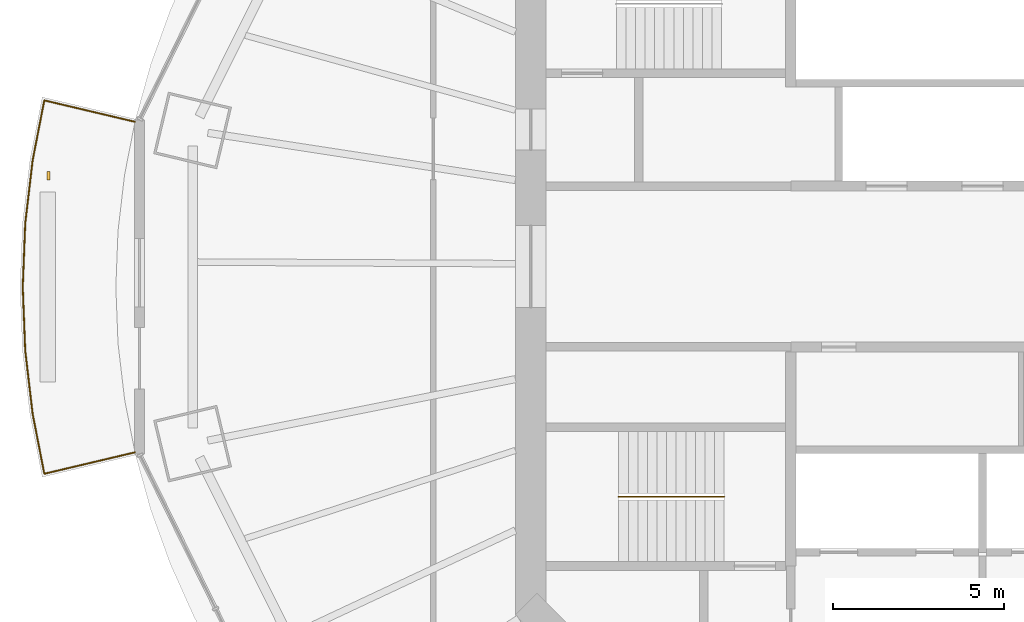
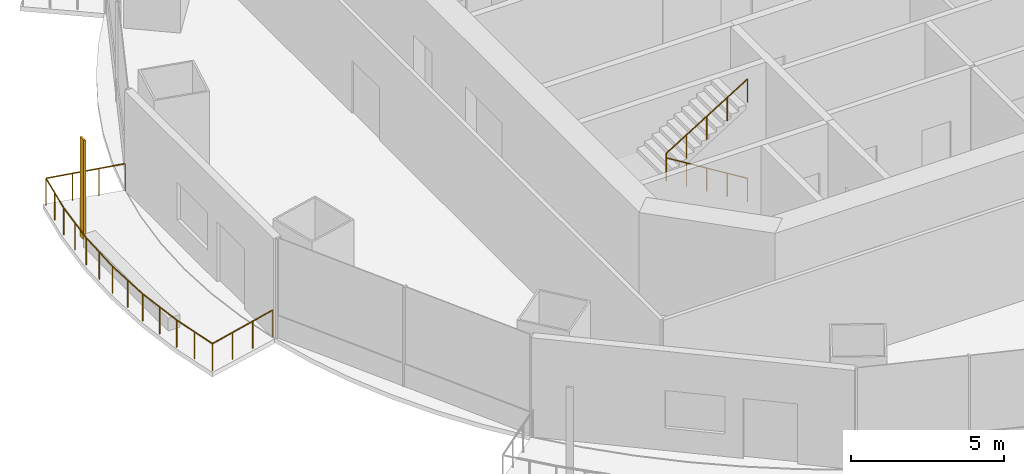
# One storey, part 15 of 19: 2 railings, 1 shading device.
"""IFC4 building model written with IfcOpenShell, lengths in metres."""

from ifc_helpers import new_model, si_unit, direction, frame, origin, origin_2d, place, context, subcontext, project, spatial, rectangle, circle, extrude, material, material_profile, profile_set, type_object, element, save


model = new_model("IFC4")

# Units and contexts
model_context = context("Model", 3, precision=1e-05, world=origin(), true_north=direction((0.0, 1.0)))
body_context = subcontext(model_context, "Body", "Model", "MODEL_VIEW")
ifc_project = project(units=[si_unit("LENGTHUNIT", "METRE"), si_unit("AREAUNIT", "SQUARE_METRE"), si_unit("VOLUMEUNIT", "CUBIC_METRE"), si_unit("PLANEANGLEUNIT", "RADIAN"), si_unit("MASSUNIT", "GRAM", prefix="KILO")], contexts=[model_context])

# Site, building, storey
site_placement = place(None, origin())
site = spatial("IfcSite", under=ifc_project, at=site_placement, CompositionType="ELEMENT")
building_placement = place(site_placement, origin())
building = spatial("IfcBuilding", under=site, at=building_placement, Name="Marenthal Gate Tower", CompositionType="ELEMENT")
storey_placement = place(building_placement, frame((0.0, 0.0, 252.35009765625)))
storey = spatial("IfcBuildingStorey", under=building, at=storey_placement, Name="L56", CompositionType="ELEMENT", Elevation=252.35009765625)

# Railings
ifc_material_1 = material(Name="Stainless steel", Category="steel")
railing_type_1 = type_object("IfcRailingType", Name="Balcony guard 1100", PredefinedType="GUARDRAIL", material=ifc_material_1)
railing_1_placement = place(storey_placement, frame((-27.56640625, -5.429443359375, 0.0)))
element("IfcRailing", 1, at=railing_1_placement, inside=storey, type_object=railing_type_1, Name="Balcony guard L56 bay 8", PredefinedType="GUARDRAIL", context=body_context, shape_type="SweptSolid", body=[
    extrude(circle(Radius=0.02392578125, at=origin_2d()), frame((0.0, 0.0, 1.076171875), z_axis=(-0.973072245699, -0.230029899071, -0.014719041532), x_axis=(0.23005482113, -0.97317767097, 0.0)), (0.0, 0.0, 1.0), 2.72021484375),
    extrude(circle(Radius=0.02392578125, at=origin_2d()), frame((-2.64697265625, -0.625732421875, 1.0361328125), z_axis=(-0.19100882276, 0.981588319831, 0.0), x_axis=(-0.981588319831, -0.19100882276, 0.0)), (0.0, 0.0, 1.0), 1.784423828125),
    extrude(circle(Radius=0.02392578125, at=origin_2d()), frame((-2.98779296875, 1.125732421875, 1.0361328125), z_axis=(-0.116437567729, 0.993198012896, 0.0), x_axis=(-0.993198012896, -0.116437567729, 0.0)), (0.0, 0.0, 1.0), 1.85986328125),
    extrude(circle(Radius=0.02392578125, at=origin_2d()), frame((-3.204345703125, 2.972900390625, 1.0361328125), z_axis=(-0.038897421074, 0.999243208951, 0.0), x_axis=(-0.999243208951, -0.038897421074, 0.0)), (0.0, 0.0, 1.0), 1.85791015625),
    extrude(circle(Radius=0.02392578125, at=origin_2d()), frame((-3.276611328125, 4.829345703125, 1.0361328125), z_axis=(0.038897421074, 0.999243208951, 0.0), x_axis=(-0.999243208951, 0.038897421074, 0.0)), (0.0, 0.0, 1.0), 1.85791015625),
    extrude(circle(Radius=0.02392578125, at=origin_2d()), frame((-3.204345703125, 6.685791015625, 1.0361328125), z_axis=(0.116422388761, 0.993199792285, 0.0), x_axis=(-0.993199792285, 0.116422388761, 0.0)), (0.0, 0.0, 1.0), 1.860107421875),
    extrude(circle(Radius=0.02392578125, at=origin_2d()), frame((-2.98779296875, 8.533203125, 1.0361328125), z_axis=(0.19100882276, 0.981588319831, 0.0), x_axis=(-0.981588319831, 0.19100882276, 0.0)), (0.0, 0.0, 1.0), 1.784423828125),
    extrude(circle(Radius=0.02392578125, at=origin_2d()), frame((-2.64697265625, 10.28466796875, 1.0361328125), z_axis=(0.973072245699, -0.230029899071, 0.014719041532), x_axis=(0.23005482113, 0.97317767097, 0.0)), (0.0, 0.0, 1.0), 2.72021484375),
    extrude(circle(Radius=0.02099609375, at=origin_2d()), origin(), (0.0, 0.0, 1.0), 1.052001953125),
    extrude(circle(Radius=0.02099609375, at=origin_2d()), frame((-0.88232421875, -0.20849609375, -0.013427734375)), (0.0, 0.0, 1.0), 1.052001953125),
    extrude(circle(Radius=0.02099609375, at=origin_2d()), frame((-1.7646484375, -0.417236328125, -0.026611328125)), (0.0, 0.0, 1.0), 1.052001953125),
    extrude(circle(Radius=0.02099609375, at=origin_2d()), frame((-2.64697265625, -0.625732421875, -0.0400390625)), (0.0, 0.0, 1.0), 1.052001953125),
    extrude(circle(Radius=0.02099609375, at=origin_2d()), frame((-2.8173828125, 0.25, -0.0400390625)), (0.0, 0.0, 1.0), 1.052001953125),
    extrude(circle(Radius=0.02099609375, at=origin_2d()), frame((-2.98779296875, 1.125732421875, -0.0400390625)), (0.0, 0.0, 1.0), 1.052001953125),
    extrude(circle(Radius=0.02099609375, at=origin_2d()), frame((-3.09619140625, 2.04931640625, -0.0400390625)), (0.0, 0.0, 1.0), 1.052001953125),
    extrude(circle(Radius=0.02099609375, at=origin_2d()), frame((-3.204345703125, 2.972900390625, -0.0400390625)), (0.0, 0.0, 1.0), 1.052001953125),
    extrude(circle(Radius=0.02099609375, at=origin_2d()), frame((-3.240478515625, 3.901123046875, -0.0400390625)), (0.0, 0.0, 1.0), 1.052001953125),
    extrude(circle(Radius=0.02099609375, at=origin_2d()), frame((-3.276611328125, 4.829345703125, -0.0400390625)), (0.0, 0.0, 1.0), 1.052001953125),
    extrude(circle(Radius=0.02099609375, at=origin_2d()), frame((-3.240478515625, 5.757568359375, -0.0400390625)), (0.0, 0.0, 1.0), 1.052001953125),
    extrude(circle(Radius=0.02099609375, at=origin_2d()), frame((-3.204345703125, 6.685791015625, -0.0400390625)), (0.0, 0.0, 1.0), 1.052001953125),
    extrude(circle(Radius=0.02099609375, at=origin_2d()), frame((-3.09619140625, 7.609375, -0.0400390625)), (0.0, 0.0, 1.0), 1.052001953125),
    extrude(circle(Radius=0.02099609375, at=origin_2d()), frame((-2.98779296875, 8.533203125, -0.0400390625)), (0.0, 0.0, 1.0), 1.052001953125),
    extrude(circle(Radius=0.02099609375, at=origin_2d()), frame((-2.8173828125, 9.408935546875, -0.0400390625)), (0.0, 0.0, 1.0), 1.052001953125),
    extrude(circle(Radius=0.02099609375, at=origin_2d()), frame((-2.64697265625, 10.28466796875, -0.0400390625)), (0.0, 0.0, 1.0), 1.052001953125),
    extrude(circle(Radius=0.02099609375, at=origin_2d()), frame((-1.7646484375, 10.076171875, -0.026611328125)), (0.0, 0.0, 1.0), 1.052001953125),
    extrude(circle(Radius=0.02099609375, at=origin_2d()), frame((-0.88232421875, 9.867431640625, -0.013427734375)), (0.0, 0.0, 1.0), 1.052001953125),
    extrude(circle(Radius=0.02099609375, at=origin_2d()), frame((0.0, 9.658935546875, 0.0)), (0.0, 0.0, 1.0), 1.052001953125),
])
ifc_material_2 = material(Name="Stainless steel", Category="steel")
railing_type_2 = type_object("IfcRailingType", Name="Stair handrail", PredefinedType="HANDRAIL", material=ifc_material_2)
railing_2_placement = place(storey_placement, frame((-10.35009765625, -6.72509765625, 0.1728515625)))
element("IfcRailing", 2, at=railing_2_placement, inside=storey, type_object=railing_type_2, Name="Handrail ST2", PredefinedType="HANDRAIL", context=body_context, shape_type="SweptSolid", body=[
    extrude(circle(Radius=0.0224609375, at=origin_2d()), frame((0.0, 0.0, 0.927490234375), z_axis=(-0.850816621229, 0.0, 0.525462726595), x_axis=(0.0, -1.0, 0.0)), (0.0, 0.0, 1.0), 3.619873046875),
    extrude(circle(Radius=0.0224609375, at=origin_2d()), frame((-3.079833984375, 0.0, 2.82958984375), z_axis=(0.0, 0.0, 1.0), x_axis=(1.0, 0.0, 0.0)), (0.0, 0.0, 1.0), 0.1728515625),
    extrude(circle(Radius=0.0224609375, at=origin_2d()), frame((-3.079833984375, 0.0, 3.00244140625), z_axis=(0.850816621229, 0.0, 0.525462726595), x_axis=(0.0, 1.0, 0.0)), (0.0, 0.0, 1.0), 3.619873046875),
    extrude(circle(Radius=0.02001953125, at=origin_2d()), origin(), (0.0, 0.0, 1.0), 0.905029296875),
    extrude(circle(Radius=0.02001953125, at=origin_2d()), frame((-0.77001953125, 0.0, 0.4755859375)), (0.0, 0.0, 1.0), 0.905029296875),
    extrude(circle(Radius=0.02001953125, at=origin_2d()), frame((-1.5400390625, 0.0, 0.951171875)), (0.0, 0.0, 1.0), 0.905029296875),
    extrude(circle(Radius=0.02001953125, at=origin_2d()), frame((-2.309814453125, 0.0, 1.426513671875)), (0.0, 0.0, 1.0), 0.905029296875),
    extrude(circle(Radius=0.02001953125, at=origin_2d()), frame((-3.079833984375, 0.0, 1.902099609375)), (0.0, 0.0, 1.0), 0.905029296875),
    extrude(circle(Radius=0.02001953125, at=origin_2d()), frame((-3.079833984375, 0.0, 2.074951171875)), (0.0, 0.0, 1.0), 0.905029296875),
    extrude(circle(Radius=0.02001953125, at=origin_2d()), frame((-2.309814453125, 0.0, 2.550537109375)), (0.0, 0.0, 1.0), 0.905029296875),
    extrude(circle(Radius=0.02001953125, at=origin_2d()), frame((-1.5400390625, 0.0, 3.02587890625)), (0.0, 0.0, 1.0), 0.905029296875),
    extrude(circle(Radius=0.02001953125, at=origin_2d()), frame((-0.77001953125, 0.0, 3.50146484375)), (0.0, 0.0, 1.0), 0.905029296875),
    extrude(circle(Radius=0.02001953125, at=origin_2d()), frame((0.0, 0.0, 3.97705078125)), (0.0, 0.0, 1.0), 0.905029296875),
])

# Shading device
ifc_material_3 = material(Name="Terracotta", Category="masonry")
ifc_material_profile = material_profile(ifc_material_3, rectangle(XDim=0.25, YDim=0.080078125, at=origin_2d()), Name="Terracotta baguette 250x80")
ifc_profile_set = profile_set([ifc_material_profile], Name="Terracotta")
shading_device_type = type_object("IfcShadingDeviceType", Name="Terracotta BAGUETTE SCREEN 250x80", PredefinedType="USERDEFINED", material=ifc_profile_set)
shading_device_placement = place(storey_placement, frame((-30.091064453125, 2.652099609375, -0.0400390625), z_axis=(0.0, 0.0, 1.0), x_axis=(0.0, -1.0, 0.0)))
element("IfcShadingDevice", 3, at=shading_device_placement, inside=storey, type_object=shading_device_type, Name="Terracotta BAGUETTE L56 bay 8L", ObjectType="BAGUETTE SCREEN", PredefinedType="USERDEFINED", context=body_context, shape_type="SweptSolid", body=[
    extrude(rectangle(XDim=0.25, YDim=0.080078125, at=origin_2d()), origin(), (0.0, 0.0, 1.0), 3.969970703125),
])

save(model, "model.ifc")
